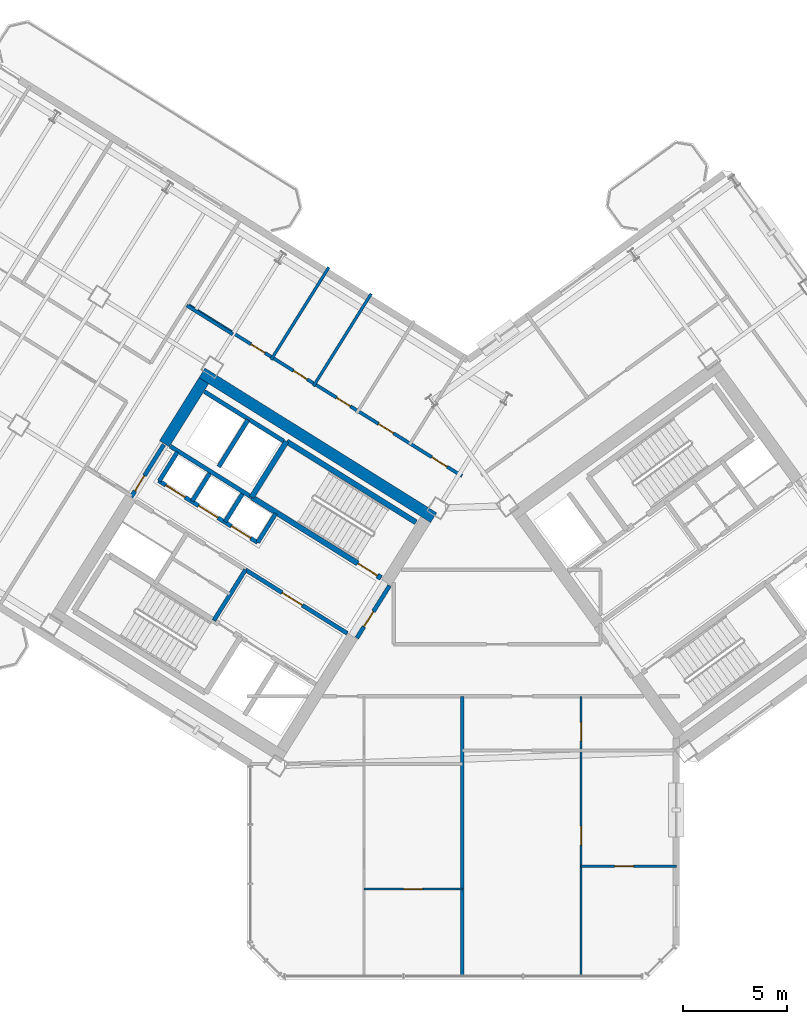
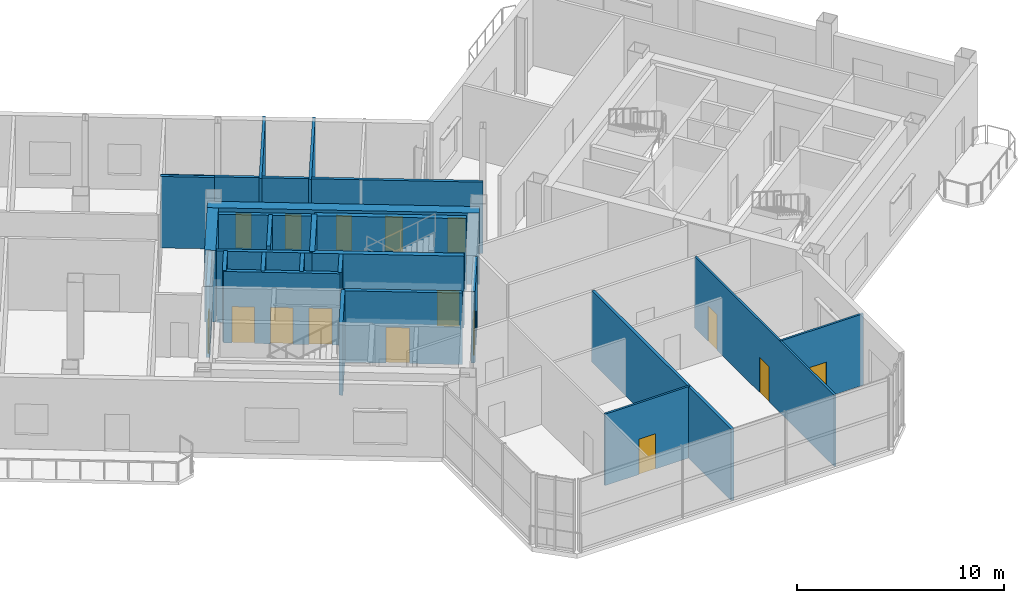
# One storey, part 12 of 20: 25 walls, 16 doors, 16 openings.
"""IFC4 building model written with IfcOpenShell, lengths in metres."""

from ifc_helpers import new_model, si_unit, direction, frame, frame_2d, origin, place, context, subcontext, project, spatial, rectangle, extrude, source, transform, mapped, material, layer, layer_set, type_object, element, fill, save


model = new_model("IFC4")

# Units and contexts
model_context = context("Model", 3, precision=1e-05, world=origin(), true_north=direction((0.0, 1.0)))
body_context = subcontext(model_context, "Body", "Model", "MODEL_VIEW")
ifc_project = project(units=[si_unit("LENGTHUNIT", "METRE"), si_unit("AREAUNIT", "SQUARE_METRE"), si_unit("VOLUMEUNIT", "CUBIC_METRE"), si_unit("PLANEANGLEUNIT", "RADIAN"), si_unit("MASSUNIT", "GRAM", prefix="KILO")], contexts=[model_context])

# Site, building, storey
site_placement = place(None, origin())
site = spatial("IfcSite", under=ifc_project, at=site_placement, CompositionType="ELEMENT")
building_placement = place(site_placement, origin())
building = spatial("IfcBuilding", under=site, at=building_placement, Name="Tlacorven Tower", CompositionType="ELEMENT")
storey_placement = place(building_placement, frame((0.0, 0.0, 195.0)))
storey = spatial("IfcBuildingStorey", under=building, at=storey_placement, Name="L49", CompositionType="ELEMENT", Elevation=195.0)

# Walls
ifc_material_1 = material(Name="Concrete C60/75", Category="concrete")
ifc_layer_1 = layer(ifc_material_1, 0.550048828125)
ifc_layer_set_1 = layer_set([ifc_layer_1], Name="Concrete C60/75")
wall_type_1 = type_object("IfcWallType", Name="WL-COR-550", PredefinedType="SHEAR", material=ifc_layer_set_1)
wall_1_placement = place(storey_placement, frame((40.572998046875, 24.010009765625, 0.0), z_axis=(0.0, 0.0, 1.0), x_axis=(-0.848047359947, 0.529920442413, 0.0)))
element("IfcWall", 1, at=wall_1_placement, inside=storey, type_object=wall_type_1, Name="L49 W core shear wall S1", PredefinedType="SHEAR", context=body_context, shape_type="SweptSolid", body=[
    extrude(rectangle(XDim=13.139892578125, YDim=0.550048828125, at=frame_2d((6.56982421875, 0.0))), origin(), (0.0, 0.0, 1.0), 4.219970703125),
])
wall_2_placement = place(storey_placement, frame((29.517333984375, 30.59423828125, 0.0), z_axis=(0.0, 0.0, 1.0), x_axis=(-0.529906864564, -0.848055844204, 0.0)))
element("IfcWall", 2, at=wall_2_placement, inside=storey, type_object=wall_type_1, Name="L49 W core end wall E2.1", PredefinedType="SHEAR", context=body_context, shape_type="SweptSolid", body=[
    extrude(rectangle(XDim=3.5751953125, YDim=0.550048828125, at=frame_2d((1.78759765625, 0.0))), origin(), (0.0, 0.0, 1.0), 4.219970703125),
])
ifc_material_2 = material(Name="Gypsum plasterboard acoustic partition", Category="gypsum")
ifc_layer_2 = layer(ifc_material_2, 0.159912109375)
ifc_layer_set_2 = layer_set([ifc_layer_2], Name="Gypsum plasterboard acoustic partition")
wall_type_2 = type_object("IfcWallType", Name="WL-DEM-160", PredefinedType="PARTITIONING", material=ifc_layer_set_2)
wall_3_placement = place(storey_placement, frame((30.91357421875, 32.82861328125, 0.0), z_axis=(0.0, 0.0, 1.0), x_axis=(-0.848008813643, 0.529982124211, 0.0)))
element("IfcWall", 3, at=wall_3_placement, inside=storey, type_object=wall_type_2, Name="L49 partition 46", PredefinedType="PARTITIONING", context=body_context, shape_type="SweptSolid", body=[
    extrude(rectangle(XDim=2.610107421875, YDim=0.159912109375, at=frame_2d((1.30517578125, 0.0))), origin(), (0.0, 0.0, 1.0), 4.2099609375),
])

# Wall, openings, doors
wall_4_placement = place(storey_placement, frame((41.93603515625, 26.011962890625, 0.0), z_axis=(0.0, 0.0, 1.0), x_axis=(-0.848051154596, 0.529914369676, 0.0)))
wall_4 = element("IfcWall", 4, at=wall_4_placement, inside=storey, type_object=wall_type_2, Name="L49 partition 56", PredefinedType="PARTITIONING", context=body_context, shape_type="SweptSolid", body=[
    extrude(rectangle(XDim=15.56982421875, YDim=0.159912109375, at=frame_2d((7.784912109375, 0.0))), origin(), (0.0, 0.0, 1.0), 4.2099609375),
])
opening_1_placement = place(wall_4_placement, frame((0.85009765625, 0.0, 0.0)))
opening_1 = element("IfcOpeningElement", 5, at=opening_1_placement, cuts=wall_4, Name="Opening D19", PredefinedType="OPENING", context=body_context, shape_type="SweptSolid", body=[
    extrude(rectangle(XDim=0.860107421875, YDim=2.050048828125, at=frame_2d((0.43017578125, 1.02490234375))), frame((0.0, 0.08984375, 0.0), z_axis=(0.0, -1.0, 0.0), x_axis=(1.0, 0.0, 0.0)), (0.0, 0.0, 1.0), 0.179931640625),
])
opening_2_placement = place(wall_4_placement, frame((3.8701171875, 0.0, 0.0)))
opening_2 = element("IfcOpeningElement", 6, at=opening_2_placement, cuts=wall_4, Name="Opening D19", PredefinedType="OPENING", context=body_context, shape_type="SweptSolid", body=[
    extrude(rectangle(XDim=0.860107421875, YDim=2.050048828125, at=frame_2d((0.43017578125, 1.02490234375))), frame((0.0, 0.08984375, 0.0), z_axis=(0.0, -1.0, 0.0), x_axis=(1.0, 0.0, 0.0)), (0.0, 0.0, 1.0), 0.179931640625),
])
opening_3_placement = place(wall_4_placement, frame((6.330078125, 0.0, 0.0)))
opening_3 = element("IfcOpeningElement", 7, at=opening_3_placement, cuts=wall_4, Name="Opening D22", PredefinedType="OPENING", context=body_context, shape_type="SweptSolid", body=[
    extrude(rectangle(XDim=0.780029296875, YDim=2.050048828125, at=frame_2d((0.39013671875, 1.02490234375))), frame((0.0, 0.08984375, 0.0), z_axis=(0.0, -1.0, 0.0), x_axis=(1.0, 0.0, 0.0)), (0.0, 0.0, 1.0), 0.179931640625),
])
opening_4_placement = place(wall_4_placement, frame((8.780029296875, 0.0, 0.0)))
opening_4 = element("IfcOpeningElement", 8, at=opening_4_placement, cuts=wall_4, Name="Opening D22", PredefinedType="OPENING", context=body_context, shape_type="SweptSolid", body=[
    extrude(rectangle(XDim=0.780029296875, YDim=2.050048828125, at=frame_2d((0.39013671875, 1.02490234375))), frame((0.0, 0.08984375, 0.0), z_axis=(0.0, -1.0, 0.0), x_axis=(1.0, 0.0, 0.0)), (0.0, 0.0, 1.0), 0.179931640625),
])
opening_5_placement = place(wall_4_placement, frame((11.179931640625, 0.0, 0.0)))
opening_5 = element("IfcOpeningElement", 9, at=opening_5_placement, cuts=wall_4, Name="Opening D22", PredefinedType="OPENING", context=body_context, shape_type="SweptSolid", body=[
    extrude(rectangle(XDim=0.780029296875, YDim=2.050048828125, at=frame_2d((0.39013671875, 1.02490234375))), frame((0.0, 0.08984375, 0.0), z_axis=(0.0, -1.0, 0.0), x_axis=(1.0, 0.0, 0.0)), (0.0, 0.0, 1.0), 0.179931640625),
])
ifc_material_3 = material(Name="Fire-rated steel door assembly", Category="steel")
door_type_1 = type_object("IfcDoorType", Name="DR-RSR-FD60-0860", OperationType="NOTDEFINED", PredefinedType="DOOR", material=ifc_material_3)
shared_shape_1 = source(origin(), body_context, "Body", "SweptSolid", [
    extrude(rectangle(XDim=0.860107421875, YDim=2.050048828125, at=frame_2d((0.43017578125, 1.02490234375))), frame((0.0, 0.02490234375, 0.0), z_axis=(0.0, -1.0, 0.0), x_axis=(1.0, 0.0, 0.0)), (0.0, 0.0, 1.0), 0.050048828125),
])
door_1_placement = place(opening_1_placement, origin())
door_1 = element("IfcDoor", 10, at=door_1_placement, inside=storey, type_object=door_type_1, Name="L49 door 030", OperationType="SINGLE_SWING_RIGHT", OverallHeight=2.050048828125, OverallWidth=0.860107421875, PredefinedType="DOOR", context=body_context, shape_type="MappedRepresentation", body=[
    mapped(shared_shape_1, transform((0.0, 0.0, 0.0), scale=1.0)),
])
fill(opening_1, door_1)
door_2_placement = place(opening_2_placement, origin())
door_2 = element("IfcDoor", 11, at=door_2_placement, inside=storey, type_object=door_type_1, Name="L49 door 031", OperationType="SINGLE_SWING_LEFT", OverallHeight=2.050048828125, OverallWidth=0.860107421875, PredefinedType="DOOR", context=body_context, shape_type="MappedRepresentation", body=[
    mapped(shared_shape_1, transform((0.0, 0.0, 0.0), scale=1.0)),
])
fill(opening_2, door_2)
ifc_material_4 = material(Name="Powder-coated aluminium and timber door", Category="wood")
door_type_2 = type_object("IfcDoorType", Name="DR-INT-WET-0780", OperationType="NOTDEFINED", PredefinedType="DOOR", material=ifc_material_4)
shared_shape_2 = source(origin(), body_context, "Body", "SweptSolid", [
    extrude(rectangle(XDim=0.780029296875, YDim=2.050048828125, at=frame_2d((0.39013671875, 1.02490234375))), frame((0.0, 0.02490234375, 0.0), z_axis=(0.0, -1.0, 0.0), x_axis=(1.0, 0.0, 0.0)), (0.0, 0.0, 1.0), 0.050048828125),
])
door_3_placement = place(opening_3_placement, origin())
door_3 = element("IfcDoor", 12, at=door_3_placement, inside=storey, type_object=door_type_2, Name="L49 door 032", OperationType="SINGLE_SWING_RIGHT", OverallHeight=2.050048828125, OverallWidth=0.780029296875, PredefinedType="DOOR", context=body_context, shape_type="MappedRepresentation", body=[
    mapped(shared_shape_2, transform((0.0, 0.0, 0.0), scale=1.0)),
])
fill(opening_3, door_3)
door_4_placement = place(opening_4_placement, origin())
door_4 = element("IfcDoor", 13, at=door_4_placement, inside=storey, type_object=door_type_2, Name="L49 door 033", OperationType="SINGLE_SWING_LEFT", OverallHeight=2.050048828125, OverallWidth=0.780029296875, PredefinedType="DOOR", context=body_context, shape_type="MappedRepresentation", body=[
    mapped(shared_shape_2, transform((0.0, 0.0, 0.0), scale=1.0)),
])
fill(opening_4, door_4)
door_5_placement = place(opening_5_placement, origin())
door_5 = element("IfcDoor", 14, at=door_5_placement, inside=storey, type_object=door_type_2, Name="L49 door 034", OperationType="SINGLE_SWING_RIGHT", OverallHeight=2.050048828125, OverallWidth=0.780029296875, PredefinedType="DOOR", context=body_context, shape_type="MappedRepresentation", body=[
    mapped(shared_shape_2, transform((0.0, 0.0, 0.0), scale=1.0)),
])
fill(opening_5, door_5)

# Wall
wall_5_placement = place(storey_placement, frame((41.949951171875, 1.9599609375, 0.0), z_axis=(0.0, 0.0, 1.0), x_axis=(0.0, 1.0, 0.0)))
element("IfcWall", 15, at=wall_5_placement, inside=storey, type_object=wall_type_2, Name="L49 Knuckle Demising Wall 1", PredefinedType="PARTITIONING", context=body_context, shape_type="SweptSolid", body=[
    extrude(rectangle(XDim=13.4599609375, YDim=0.159912109375, at=frame_2d((6.72998046875, 0.0))), origin(), (0.0, 0.0, 1.0), 4.2099609375),
])

# Wall, opening, door
ifc_material_5 = material(Name="Gypsum plasterboard partition", Category="gypsum")
ifc_layer_3 = layer(ifc_material_5, 0.110107421875)
ifc_layer_set_3 = layer_set([ifc_layer_3], Name="Gypsum plasterboard partition")
wall_type_3 = type_object("IfcWallType", Name="WL-INT-110", PredefinedType="PARTITIONING", material=ifc_layer_set_3)
wall_6_placement = place(storey_placement, frame((37.221923828125, 6.14990234375, 0.0), z_axis=(0.0, 0.0, 1.0), x_axis=(1.0, 0.0, 0.0)))
wall_6 = element("IfcWall", 16, at=wall_6_placement, inside=storey, type_object=wall_type_3, Name="L49 partition 73", PredefinedType="PARTITIONING", context=body_context, shape_type="SweptSolid", body=[
    extrude(rectangle(XDim=4.72802734375, YDim=0.110107421875, at=frame_2d((2.364013671875, 0.0))), origin(), (0.0, 0.0, 1.0), 4.2099609375),
])
opening_6_placement = place(wall_6_placement, frame((1.904052734375, 0.0, 0.0)))
opening_6 = element("IfcOpeningElement", 17, at=opening_6_placement, cuts=wall_6, Name="Opening D12", PredefinedType="OPENING", context=body_context, shape_type="SweptSolid", body=[
    extrude(rectangle(XDim=0.919921875, YDim=2.080078125, at=frame_2d((0.4599609375, 1.0400390625))), frame((0.0, 0.06494140625, 0.0), z_axis=(0.0, -1.0, 0.0), x_axis=(1.0, 0.0, 0.0)), (0.0, 0.0, 1.0), 0.130126953125),
])
door_type_3 = type_object("IfcDoorType", Name="DR-INT-ROOM-0920", OperationType="NOTDEFINED", PredefinedType="DOOR", material=ifc_material_4)
shared_shape_3 = source(origin(), body_context, "Body", "SweptSolid", [
    extrude(rectangle(XDim=0.919921875, YDim=2.080078125, at=frame_2d((0.4599609375, 1.0400390625))), frame((0.0, 0.02490234375, 0.0), z_axis=(0.0, -1.0, 0.0), x_axis=(1.0, 0.0, 0.0)), (0.0, 0.0, 1.0), 0.050048828125),
])
door_6_placement = place(opening_6_placement, origin())
door_6 = element("IfcDoor", 18, at=door_6_placement, inside=storey, type_object=door_type_3, Name="L49 door 039", OperationType="SINGLE_SWING_LEFT", OverallHeight=2.080078125, OverallWidth=0.919921875, PredefinedType="DOOR", context=body_context, shape_type="MappedRepresentation", body=[
    mapped(shared_shape_3, transform((0.0, 0.0, 0.0), scale=1.0)),
])
fill(opening_6, door_6)

# Wall, openings, doors
wall_7_placement = place(storey_placement, frame((47.6630859375, 1.9599609375, 0.0), z_axis=(0.0, 0.0, 1.0), x_axis=(0.0, 1.0, 0.0)))
wall_7 = element("IfcWall", 19, at=wall_7_placement, inside=storey, type_object=wall_type_3, Name="L49 partition 74", PredefinedType="PARTITIONING", context=body_context, shape_type="SweptSolid", body=[
    extrude(rectangle(XDim=13.4599609375, YDim=0.110107421875, at=frame_2d((6.72998046875, 0.0))), origin(), (0.0, 0.0, 1.0), 4.2099609375),
])
opening_7_placement = place(wall_7_placement, frame((6.300048828125, 0.0, 0.0)))
opening_7 = element("IfcOpeningElement", 20, at=opening_7_placement, cuts=wall_7, Name="Opening D12", PredefinedType="OPENING", context=body_context, shape_type="SweptSolid", body=[
    extrude(rectangle(XDim=0.919921875, YDim=2.080078125, at=frame_2d((0.4599609375, 1.0400390625))), frame((0.0, 0.06494140625, 0.0), z_axis=(0.0, -1.0, 0.0), x_axis=(1.0, 0.0, 0.0)), (0.0, 0.0, 1.0), 0.130126953125),
])
opening_8_placement = place(wall_7_placement, frame((11.320068359375, 0.0, 0.0)))
opening_8 = element("IfcOpeningElement", 21, at=opening_8_placement, cuts=wall_7, Name="Opening D13", PredefinedType="OPENING", context=body_context, shape_type="SweptSolid", body=[
    extrude(rectangle(XDim=0.8798828125, YDim=2.080078125, at=frame_2d((0.43994140625, 1.0400390625))), frame((0.0, 0.06494140625, 0.0), z_axis=(0.0, -1.0, 0.0), x_axis=(1.0, 0.0, 0.0)), (0.0, 0.0, 1.0), 0.130126953125),
])
door_type_4 = type_object("IfcDoorType", Name="DR-INT-WET-0880", OperationType="NOTDEFINED", PredefinedType="DOOR", material=ifc_material_4)
shared_shape_4 = source(origin(), body_context, "Body", "SweptSolid", [
    extrude(rectangle(XDim=0.8798828125, YDim=2.080078125, at=frame_2d((0.43994140625, 1.0400390625))), frame((0.0, 0.02490234375, 0.0), z_axis=(0.0, -1.0, 0.0), x_axis=(1.0, 0.0, 0.0)), (0.0, 0.0, 1.0), 0.050048828125),
])
door_7_placement = place(opening_8_placement, origin())
door_7 = element("IfcDoor", 22, at=door_7_placement, inside=storey, type_object=door_type_4, Name="L49 door 047", OperationType="SINGLE_SWING_LEFT", OverallHeight=2.080078125, OverallWidth=0.8798828125, PredefinedType="DOOR", context=body_context, shape_type="MappedRepresentation", body=[
    mapped(shared_shape_4, transform((0.0, 0.0, 0.0), scale=1.0)),
])
fill(opening_8, door_7)
door_8_placement = place(opening_7_placement, origin())
door_8 = element("IfcDoor", 23, at=door_8_placement, inside=storey, type_object=door_type_3, Name="L49 door 043", OperationType="SINGLE_SWING_LEFT", OverallHeight=2.080078125, OverallWidth=0.919921875, PredefinedType="DOOR", context=body_context, shape_type="MappedRepresentation", body=[
    mapped(shared_shape_3, transform((0.0, 0.0, 0.0), scale=1.0)),
])
fill(opening_7, door_8)

# Wall, opening, door
wall_8_placement = place(storey_placement, frame((47.6630859375, 7.25, 0.0), z_axis=(0.0, 0.0, 1.0), x_axis=(1.0, 0.0, 0.0)))
wall_8 = element("IfcWall", 24, at=wall_8_placement, inside=storey, type_object=wall_type_3, Name="L49 partition 77", PredefinedType="PARTITIONING", context=body_context, shape_type="SweptSolid", body=[
    extrude(rectangle(XDim=4.596923828125, YDim=0.110107421875, at=frame_2d((2.29833984375, 0.0))), origin(), (0.0, 0.0, 1.0), 4.2099609375),
])
opening_9_placement = place(wall_8_placement, frame((1.6083984375, 0.0, 0.0)))
opening_9 = element("IfcOpeningElement", 25, at=opening_9_placement, cuts=wall_8, Name="Opening D12", PredefinedType="OPENING", context=body_context, shape_type="SweptSolid", body=[
    extrude(rectangle(XDim=0.919921875, YDim=2.080078125, at=frame_2d((0.4599609375, 1.0400390625))), frame((0.0, 0.06494140625, 0.0), z_axis=(0.0, -1.0, 0.0), x_axis=(1.0, 0.0, 0.0)), (0.0, 0.0, 1.0), 0.130126953125),
])
door_9_placement = place(opening_9_placement, origin())
door_9 = element("IfcDoor", 26, at=door_9_placement, inside=storey, type_object=door_type_3, Name="L49 door 044", OperationType="SINGLE_SWING_RIGHT", OverallHeight=2.080078125, OverallWidth=0.919921875, PredefinedType="DOOR", context=body_context, shape_type="MappedRepresentation", body=[
    mapped(shared_shape_3, transform((0.0, 0.0, 0.0), scale=1.0)),
])
fill(opening_9, door_9)

# Walls
ifc_material_6 = material(Name="Moisture-resistant gypsum plumbing wall", Category="gypsum")
ifc_layer_4 = layer(ifc_material_6, 0.139892578125)
ifc_layer_set_4 = layer_set([ifc_layer_4], Name="Moisture-resistant gypsum plumbing wall")
wall_type_4 = type_object("IfcWallType", Name="WL-PLM-140", PredefinedType="PLUMBINGWALL", material=ifc_layer_set_4)
for number, where, z_axis, x_axis, name in (
    (27, (37.568115234375, 34.77880859375, 0.0), (0.0, 0.0, 1.0), (-0.529923555071, -0.848045414928, 0.0), "L49 partition 60"),
    (28, (35.53271484375, 36.050537109375, 0.0), (0.0, 0.0, 1.0), (-0.529923555071, -0.848045414928, 0.0), "L49 partition 61"),
):
    element("IfcWall", number, at=place(storey_placement, frame(where, z_axis=z_axis, x_axis=x_axis)), inside=storey, type_object=wall_type_4, Name=name, PredefinedType="PLUMBINGWALL", context=body_context, shape_type="SweptSolid", body=[
        extrude(rectangle(XDim=5.239990234375, YDim=0.139892578125, at=frame_2d((2.6201171875, 0.0))), origin(), (0.0, 0.0, 1.0), 4.2099609375),
    ])

# Wall, opening, door
ifc_material_7 = material(Name="Concrete C40/50", Category="concrete")
ifc_layer_5 = layer(ifc_material_7, 0.199951171875)
ifc_layer_set_5 = layer_set([ifc_layer_5], Name="Concrete C40/50")
wall_type_5 = type_object("IfcWallType", Name="WL-SHF-200", PredefinedType="STANDARD", material=ifc_layer_set_5)
wall_9_placement = place(storey_placement, frame((36.416748046875, 18.447265625, 0.0), z_axis=(0.0, 0.0, 1.0), x_axis=(-0.848064879198, 0.529892404805, 0.0)))
wall_9 = element("IfcWall", 29, at=wall_9_placement, inside=storey, type_object=wall_type_5, Name="L49 Core W Smoke Lobby Wall", PredefinedType="STANDARD", context=body_context, shape_type="SweptSolid", body=[
    extrude(rectangle(XDim=5.76806640625, YDim=0.199951171875, at=frame_2d((2.884033203125, 0.0))), origin(), (0.0, 0.0, 1.0), 4.2099609375),
])
opening_10_placement = place(wall_9_placement, frame((2.548095703125, 0.0, 0.0)))
opening_10 = element("IfcOpeningElement", 30, at=opening_10_placement, cuts=wall_9, Name="Opening D09", PredefinedType="OPENING", context=body_context, shape_type="SweptSolid", body=[
    extrude(rectangle(XDim=1.14990234375, YDim=2.10009765625, at=frame_2d((0.574951171875, 1.050048828125))), frame((0.0, 0.10986328125, 0.0), z_axis=(0.0, -1.0, 0.0), x_axis=(1.0, 0.0, 0.0)), (0.0, 0.0, 1.0), 0.219970703125),
])
door_type_5 = type_object("IfcDoorType", Name="DR-FFL-FD60-1150", OperationType="NOTDEFINED", PredefinedType="DOOR", material=ifc_material_3)
shared_shape_5 = source(origin(), body_context, "Body", "SweptSolid", [
    extrude(rectangle(XDim=1.14990234375, YDim=2.10009765625, at=frame_2d((0.574951171875, 1.050048828125))), frame((0.0, 0.02490234375, 0.0), z_axis=(0.0, -1.0, 0.0), x_axis=(1.0, 0.0, 0.0)), (0.0, 0.0, 1.0), 0.050048828125),
])
door_10_placement = place(opening_10_placement, origin())
door_10 = element("IfcDoor", 31, at=door_10_placement, inside=storey, type_object=door_type_5, Name="L49 Firefighting Lobby W Fire Door", OperationType="SINGLE_SWING_LEFT", OverallHeight=2.10009765625, OverallWidth=1.14990234375, PredefinedType="DOOR", context=body_context, shape_type="MappedRepresentation", body=[
    mapped(shared_shape_5, transform((0.0, 0.0, 0.0), scale=1.0)),
])
fill(opening_10, door_10)

# Wall
wall_10_placement = place(storey_placement, frame((31.82177734375, 24.99755859375, 0.0), z_axis=(0.0, 0.0, 1.0), x_axis=(-0.848036912365, 0.52993716162, 0.0)))
element("IfcWall", 32, at=wall_10_placement, inside=storey, type_object=wall_type_5, Name="L49 Core W South Lift Shaft Wall", PredefinedType="STANDARD", context=body_context, shape_type="SweptSolid", body=[
    extrude(rectangle(XDim=4.617919921875, YDim=0.199951171875, at=frame_2d((2.30908203125, 0.0))), origin(), (0.0, 0.0, 1.0), 4.2099609375),
])

# Wall, openings, doors
wall_11_placement = place(storey_placement, frame((32.108154296875, 22.81396484375, 0.0), z_axis=(0.0, 0.0, 1.0), x_axis=(-0.848042229521, 0.529928652696, 0.0)))
wall_11 = element("IfcWall", 33, at=wall_11_placement, inside=storey, type_object=wall_type_5, Name="L49 partition 11", PredefinedType="STANDARD", context=body_context, shape_type="SweptSolid", body=[
    extrude(rectangle(XDim=5.6201171875, YDim=0.199951171875, at=frame_2d((2.81005859375, 0.0))), origin(), (0.0, 0.0, 1.0), 4.2099609375),
])
opening_11_placement = place(wall_11_placement, frame((0.389892578125, 0.0, 0.0)))
opening_11 = element("IfcOpeningElement", 34, at=opening_11_placement, cuts=wall_11, Name="Opening LD01", PredefinedType="OPENING", context=body_context, shape_type="SweptSolid", body=[
    extrude(rectangle(XDim=1.10009765625, YDim=2.14990234375, at=frame_2d((0.550048828125, 1.074951171875))), frame((0.0, 0.10986328125, 0.0), z_axis=(0.0, -1.0, 0.0), x_axis=(1.0, 0.0, 0.0)), (0.0, 0.0, 1.0), 0.219970703125),
])
opening_12_placement = place(wall_11_placement, frame((2.25, 0.0, 0.0)))
opening_12 = element("IfcOpeningElement", 35, at=opening_12_placement, cuts=wall_11, Name="Opening LD01", PredefinedType="OPENING", context=body_context, shape_type="SweptSolid", body=[
    extrude(rectangle(XDim=1.10009765625, YDim=2.14990234375, at=frame_2d((0.550048828125, 1.074951171875))), frame((0.0, 0.10986328125, 0.0), z_axis=(0.0, -1.0, 0.0), x_axis=(1.0, 0.0, 0.0)), (0.0, 0.0, 1.0), 0.219970703125),
])
opening_13_placement = place(wall_11_placement, frame((4.110107421875, 0.0, 0.0)))
opening_13 = element("IfcOpeningElement", 36, at=opening_13_placement, cuts=wall_11, Name="Opening LD01", PredefinedType="OPENING", context=body_context, shape_type="SweptSolid", body=[
    extrude(rectangle(XDim=1.10009765625, YDim=2.14990234375, at=frame_2d((0.550048828125, 1.074951171875))), frame((0.0, 0.10986328125, 0.0), z_axis=(0.0, -1.0, 0.0), x_axis=(1.0, 0.0, 0.0)), (0.0, 0.0, 1.0), 0.219970703125),
])
door_type_6 = type_object("IfcDoorType", Name="DR-LFT-SLID-1100", OperationType="DOUBLE_DOOR_SLIDING", PredefinedType="DOOR", material=ifc_material_3)
shared_shape_6 = source(origin(), body_context, "Body", "SweptSolid", [
    extrude(rectangle(XDim=1.10009765625, YDim=2.14990234375, at=frame_2d((0.550048828125, 1.074951171875))), frame((0.0, 0.02490234375, 0.0), z_axis=(0.0, -1.0, 0.0), x_axis=(1.0, 0.0, 0.0)), (0.0, 0.0, 1.0), 0.050048828125),
])
door_11_placement = place(opening_11_placement, origin())
door_11 = element("IfcDoor", 37, at=door_11_placement, inside=storey, type_object=door_type_6, Name="L49 Lift PL-M1 Sliding Landing Door", OperationType="DOUBLE_DOOR_SLIDING", OverallHeight=2.14990234375, OverallWidth=1.10009765625, PredefinedType="DOOR", context=body_context, shape_type="MappedRepresentation", body=[
    mapped(shared_shape_6, transform((0.0, 0.0, 0.0), scale=1.0)),
])
fill(opening_11, door_11)
door_12_placement = place(opening_12_placement, origin())
door_12 = element("IfcDoor", 38, at=door_12_placement, inside=storey, type_object=door_type_6, Name="L49 Lift PL-M2 Sliding Landing Door", OperationType="DOUBLE_DOOR_SLIDING", OverallHeight=2.14990234375, OverallWidth=1.10009765625, PredefinedType="DOOR", context=body_context, shape_type="MappedRepresentation", body=[
    mapped(shared_shape_6, transform((0.0, 0.0, 0.0), scale=1.0)),
])
fill(opening_12, door_12)
door_13_placement = place(opening_13_placement, origin())
door_13 = element("IfcDoor", 39, at=door_13_placement, inside=storey, type_object=door_type_6, Name="L49 Lift PL-M3 Sliding Landing Door", OperationType="DOUBLE_DOOR_SLIDING", OverallHeight=2.14990234375, OverallWidth=1.10009765625, PredefinedType="DOOR", context=body_context, shape_type="MappedRepresentation", body=[
    mapped(shared_shape_6, transform((0.0, 0.0, 0.0), scale=1.0)),
])
fill(opening_13, door_13)

# Walls
wall_12_placement = place(storey_placement, frame((32.982421875, 24.21337890625, 0.0), z_axis=(0.0, 0.0, 1.0), x_axis=(-0.529839334948, -0.84809803628, 0.0)))
element("IfcWall", 40, at=wall_12_placement, inside=storey, type_object=wall_type_5, Name="L49 partition 12", PredefinedType="STANDARD", context=body_context, shape_type="SweptSolid", body=[
    extrude(rectangle(XDim=1.650146484375, YDim=0.199951171875, at=frame_2d((0.8251953125, 0.0))), origin(), (0.0, 0.0, 1.0), 4.2099609375),
])
wall_13_placement = place(storey_placement, frame((28.250244140625, 27.170166015625, 0.0), z_axis=(0.0, 0.0, 1.0), x_axis=(-0.529905827651, -0.848056492117, 0.0)))
element("IfcWall", 41, at=wall_13_placement, inside=storey, type_object=wall_type_5, Name="L49 partition 13", PredefinedType="STANDARD", context=body_context, shape_type="SweptSolid", body=[
    extrude(rectangle(XDim=1.64990234375, YDim=0.199951171875, at=frame_2d((0.824951171875, 0.0))), origin(), (0.0, 0.0, 1.0), 4.2099609375),
])
wall_14_placement = place(storey_placement, frame((31.645263671875, 28.716064453125, 0.0), z_axis=(0.0, 0.0, 1.0), x_axis=(-0.52986693015, -0.848080795876, 0.0)))
element("IfcWall", 42, at=wall_14_placement, inside=storey, type_object=wall_type_5, Name="L49 partition 15", PredefinedType="STANDARD", context=body_context, shape_type="SweptSolid", body=[
    extrude(rectangle(XDim=2.659912109375, YDim=0.199951171875, at=frame_2d((1.330078125, 0.0))), origin(), (0.0, 0.0, 1.0), 4.2099609375),
])
wall_15_placement = place(storey_placement, frame((33.362548828125, 27.690185546875, 0.0), z_axis=(0.0, 0.0, 1.0), x_axis=(-0.848047090064, 0.529920874315, 0.0)))
element("IfcWall", 43, at=wall_15_placement, inside=storey, type_object=wall_type_5, Name="L49 partition 17", PredefinedType="STANDARD", context=body_context, shape_type="SweptSolid", body=[
    extrude(rectangle(XDim=4.498046875, YDim=0.199951171875, at=frame_2d((2.2490234375, 0.0))), origin(), (0.0, 0.0, 1.0), 4.2099609375),
])
for number, where, z_axis, x_axis, name in (
    (44, (31.378662109375, 25.156494140625, 0.0), (0.0, 0.0, 1.0), (-0.529998940003, -0.847998304005, 0.0), "L49 partition 18"),
    (45, (29.80126953125, 26.14208984375, 0.0), (0.0, 0.0, 1.0), (-0.529998940003, -0.847998304005, 0.0), "L49 partition 19"),
):
    element("IfcWall", number, at=place(storey_placement, frame(where, z_axis=z_axis, x_axis=x_axis)), inside=storey, type_object=wall_type_5, Name=name, PredefinedType="STANDARD", context=body_context, shape_type="SweptSolid", body=[
        extrude(rectangle(XDim=1.580078125, YDim=0.199951171875, at=frame_2d((0.7900390625, 0.0))), origin(), (0.0, 0.0, 1.0), 4.2099609375),
    ])
wall_16_placement = place(storey_placement, frame((31.525146484375, 21.503662109375, 0.0), z_axis=(0.0, 0.0, 1.0), x_axis=(-0.529907497854, -0.848055448493, 0.0)))
element("IfcWall", 46, at=wall_16_placement, inside=storey, type_object=wall_type_5, Name="L49 partition 20", PredefinedType="STANDARD", context=body_context, shape_type="SweptSolid", body=[
    extrude(rectangle(XDim=2.8798828125, YDim=0.199951171875, at=frame_2d((1.43994140625, 0.0))), origin(), (0.0, 0.0, 1.0), 4.2099609375),
])

# Wall, opening, door
wall_17_placement = place(storey_placement, frame((27.59619140625, 27.52001953125, 0.0), z_axis=(0.0, 0.0, 1.0), x_axis=(-0.529865479138, -0.848081702443, 0.0)))
wall_17 = element("IfcWall", 47, at=wall_17_placement, inside=storey, type_object=wall_type_5, Name="L49 partition 45", PredefinedType="STANDARD", context=body_context, shape_type="SweptSolid", body=[
    extrude(rectangle(XDim=2.9599609375, YDim=0.199951171875, at=frame_2d((1.47998046875, 0.0))), origin(), (0.0, 0.0, 1.0), 4.2099609375),
])
opening_14_placement = place(wall_17_placement, frame((1.760009765625, 0.0, 0.0)))
opening_14 = element("IfcOpeningElement", 48, at=opening_14_placement, cuts=wall_17, Name="Opening D19", PredefinedType="OPENING", context=body_context, shape_type="SweptSolid", body=[
    extrude(rectangle(XDim=0.860107421875, YDim=2.050048828125, at=frame_2d((0.43017578125, 1.02490234375))), frame((0.0, 0.10986328125, 0.0), z_axis=(0.0, -1.0, 0.0), x_axis=(1.0, 0.0, 0.0)), (0.0, 0.0, 1.0), 0.219970703125),
])
door_14_placement = place(opening_14_placement, origin())
door_14 = element("IfcDoor", 49, at=door_14_placement, inside=storey, type_object=door_type_1, Name="L49 door 024", OperationType="SINGLE_SWING_LEFT", OverallHeight=2.050048828125, OverallWidth=0.860107421875, PredefinedType="DOOR", context=body_context, shape_type="MappedRepresentation", body=[
    mapped(shared_shape_1, transform((0.0, 0.0, 0.0), scale=1.0)),
])
fill(opening_14, door_14)

wall_18_placement = place(storey_placement, frame((38.451416015625, 20.737060546875, 0.0), z_axis=(0.0, 0.0, 1.0), x_axis=(-0.529924799939, -0.848044637038, 0.0)))
wall_18 = element("IfcWall", 50, at=wall_18_placement, inside=storey, type_object=wall_type_5, Name="L49 partition 62", PredefinedType="STANDARD", context=body_context, shape_type="SweptSolid", body=[
    extrude(rectangle(XDim=2.9599609375, YDim=0.199951171875, at=frame_2d((1.47998046875, 0.0))), origin(), (0.0, 0.0, 1.0), 4.2099609375),
])
opening_15_placement = place(wall_18_placement, frame((1.4599609375, 0.0, 0.0)))
opening_15 = element("IfcOpeningElement", 51, at=opening_15_placement, cuts=wall_18, Name="Opening D19", PredefinedType="OPENING", context=body_context, shape_type="SweptSolid", body=[
    extrude(rectangle(XDim=0.860107421875, YDim=2.050048828125, at=frame_2d((0.43017578125, 1.02490234375))), frame((0.0, 0.10986328125, 0.0), z_axis=(0.0, -1.0, 0.0), x_axis=(1.0, 0.0, 0.0)), (0.0, 0.0, 1.0), 0.219970703125),
])
door_15_placement = place(opening_15_placement, frame((0.860107421875, 0.0, 0.0), z_axis=(0.0, 0.0, 1.0), x_axis=(-1.0, 0.0, 0.0)))
door_15 = element("IfcDoor", 52, at=door_15_placement, inside=storey, type_object=door_type_1, Name="L49 door 036", OperationType="SINGLE_SWING_LEFT", OverallHeight=2.050048828125, OverallWidth=0.860107421875, PredefinedType="DOOR", context=body_context, shape_type="MappedRepresentation", body=[
    mapped(shared_shape_1, transform((0.0, 0.0, 0.0), scale=1.0)),
])
fill(opening_15, door_15)

# Wall
ifc_material_8 = material(Name="Concrete C50/60", Category="concrete")
ifc_layer_6 = layer(ifc_material_8, 0.260009765625)
ifc_layer_set_6 = layer_set([ifc_layer_6], Name="Concrete C50/60")
wall_type_6 = type_object("IfcWallType", Name="WL-STW-260", PredefinedType="SHEAR", material=ifc_layer_set_6)
wall_19_placement = place(storey_placement, frame((39.720947265625, 23.787841796875, 0.0), z_axis=(0.0, 0.0, 1.0), x_axis=(-0.848054434086, 0.529909121291, 0.0)))
element("IfcWall", 53, at=wall_19_placement, inside=storey, type_object=wall_type_6, Name="L49 Stair W2 Far Shear Wall", PredefinedType="SHEAR", context=body_context, shape_type="SweptSolid", body=[
    extrude(rectangle(XDim=7.330078125, YDim=0.260009765625, at=frame_2d((3.6650390625, 0.0))), origin(), (0.0, 0.0, 1.0), 4.219970703125),
])

# Wall, opening, door
wall_20_placement = place(storey_placement, frame((38.04638671875, 21.10791015625, 0.0), z_axis=(0.0, 0.0, 1.0), x_axis=(-0.848054434086, 0.529909121291, 0.0)))
wall_20 = element("IfcWall", 54, at=wall_20_placement, inside=storey, type_object=wall_type_6, Name="L49 Stair W2 Lobby Shear Wall", PredefinedType="SHEAR", context=body_context, shape_type="SweptSolid", body=[
    extrude(rectangle(XDim=7.330078125, YDim=0.260009765625, at=frame_2d((3.6650390625, 0.0))), origin(), (0.0, 0.0, 1.0), 4.219970703125),
])
opening_16_placement = place(wall_20_placement, frame((0.219970703125, 0.0, 0.0)))
opening_16 = element("IfcOpeningElement", 55, at=opening_16_placement, cuts=wall_20, Name="Opening D07", PredefinedType="OPENING", context=body_context, shape_type="SweptSolid", body=[
    extrude(rectangle(XDim=1.10009765625, YDim=2.10009765625, at=frame_2d((0.550048828125, 1.050048828125))), frame((0.0, 0.14013671875, 0.0), z_axis=(0.0, -1.0, 0.0), x_axis=(1.0, 0.0, 0.0)), (0.0, 0.0, 1.0), 0.280029296875),
])
door_type_7 = type_object("IfcDoorType", Name="DR-STR-FD90-1100", OperationType="NOTDEFINED", PredefinedType="DOOR", material=ifc_material_3)
shared_shape_7 = source(origin(), body_context, "Body", "SweptSolid", [
    extrude(rectangle(XDim=1.10009765625, YDim=2.10009765625, at=frame_2d((0.550048828125, 1.050048828125))), frame((0.0, 0.02490234375, 0.0), z_axis=(0.0, -1.0, 0.0), x_axis=(1.0, 0.0, 0.0)), (0.0, 0.0, 1.0), 0.050048828125),
])
door_16_placement = place(opening_16_placement, origin())
door_16 = element("IfcDoor", 56, at=door_16_placement, inside=storey, type_object=door_type_7, Name="L49 Exit Stair W2 Fire Door", OperationType="SINGLE_SWING_RIGHT", OverallHeight=2.10009765625, OverallWidth=1.10009765625, PredefinedType="DOOR", context=body_context, shape_type="MappedRepresentation", body=[
    mapped(shared_shape_7, transform((0.0, 0.0, 0.0), scale=1.0)),
])
fill(opening_16, door_16)

# Wall
wall_21_placement = place(storey_placement, frame((33.496337890625, 27.677490234375, 0.0), z_axis=(0.0, 0.0, 1.0), x_axis=(-0.529908658664, -0.84805472316, 0.0)))
element("IfcWall", 57, at=wall_21_placement, inside=storey, type_object=wall_type_6, Name="L49 Stair W2 East Shear Wall", PredefinedType="SHEAR", context=body_context, shape_type="SweptSolid", body=[
    extrude(rectangle(XDim=3.16015625, YDim=0.260009765625, at=frame_2d((1.580078125, 0.0))), origin(), (0.0, 0.0, 1.0), 4.219970703125),
])

save(model, "model.ifc")
